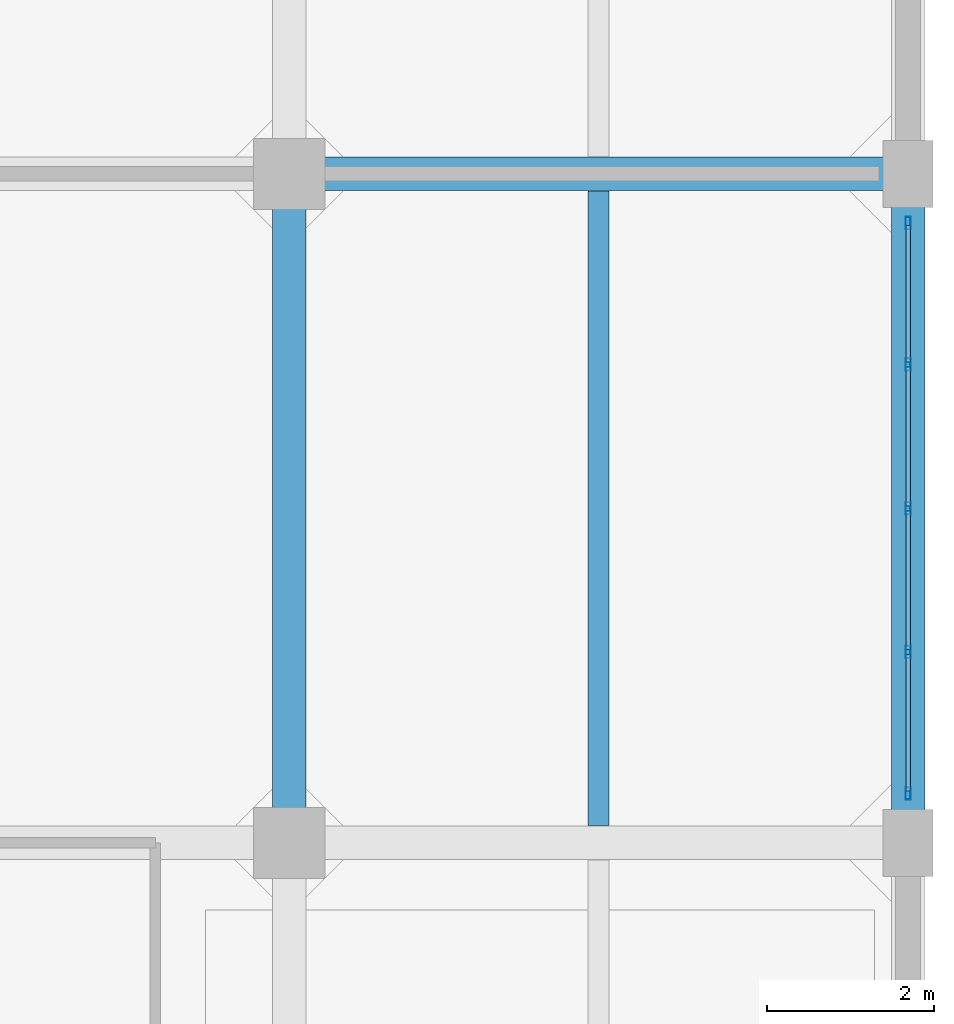
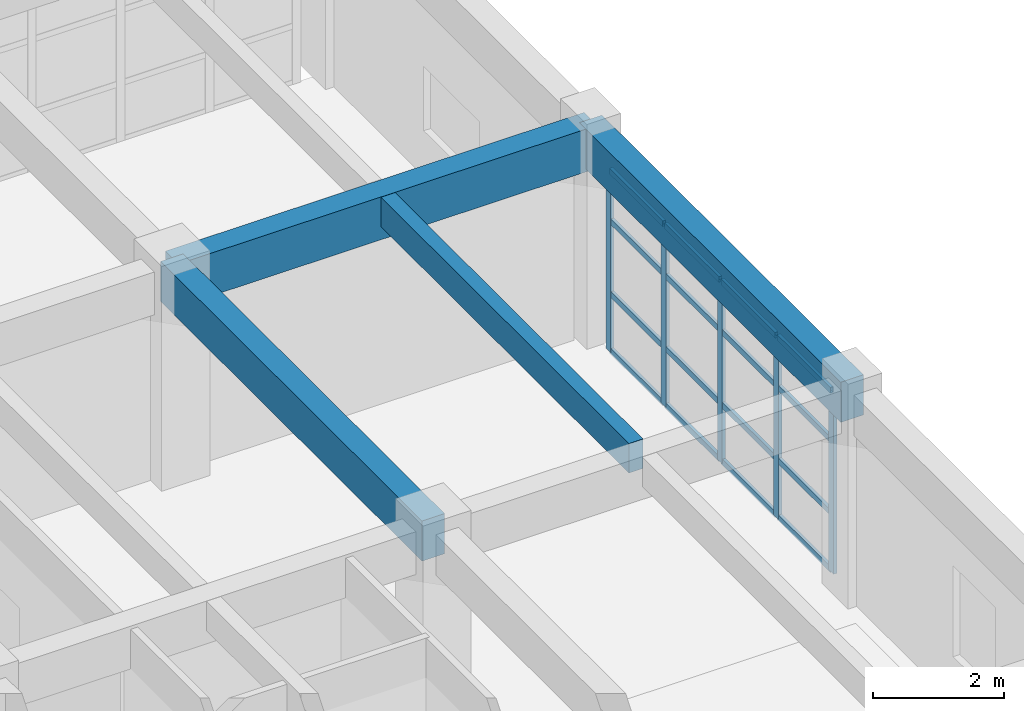
# One storey, part 17 of 27: 21 members, 4 beams, 1 element without a shape of its own.
"""IFC4 building model written with IfcOpenShell, lengths in metres."""

from ifc_helpers import new_model, si_unit, direction, frame, origin, origin_2d, place, context, subcontext, project, spatial, rectangle, hollow_rectangle, extrude, material, layer, layer_set, material_profile, profile_set, type_object, element, aggregate, save


model = new_model("IFC4")

# Units and contexts
model_context = context("Model", 3, precision=1e-05, world=origin(), true_north=direction((0.0, 1.0)))
body_context = subcontext(model_context, "Body", "Model", "MODEL_VIEW")
ifc_project = project(units=[si_unit("LENGTHUNIT", "METRE"), si_unit("AREAUNIT", "SQUARE_METRE"), si_unit("VOLUMEUNIT", "CUBIC_METRE"), si_unit("PLANEANGLEUNIT", "RADIAN"), si_unit("MASSUNIT", "GRAM", prefix="KILO")], contexts=[model_context])

# Site, building, storey
site_placement = place(None, origin())
site = spatial("IfcSite", under=ifc_project, at=site_placement, CompositionType="ELEMENT")
building_placement = place(site_placement, origin())
building = spatial("IfcBuilding", under=site, at=building_placement, Name="Canggui Botanical Conservatory", CompositionType="ELEMENT")
storey_placement = place(building_placement, frame((0.0, 0.0, 23.39990234375)))
storey = spatial("IfcBuildingStorey", under=building, at=storey_placement, Name="L06", CompositionType="ELEMENT", Elevation=23.39990234375)

# Beams
ifc_material_1 = material(Name="Concrete C35", Category="concrete")
ifc_material_profile_1 = material_profile(ifc_material_1, rectangle(XDim=0.25, YDim=0.550048828125, at=origin_2d()), Name="RB 250x550")
ifc_profile_set_1 = profile_set([ifc_material_profile_1], Name="Concrete C35")
beam_type_1 = type_object("IfcBeamType", Name="BM-JST03", PredefinedType="JOIST", material=ifc_profile_set_1)
beam_1_placement = place(storey_placement, frame((173.699951171875, 58.205078125, 3.68505859375), z_axis=(0.0, 1.0, 0.0), x_axis=(-1.0, 0.0, 0.0)))
element("IfcBeam", 1, at=beam_1_placement, inside=storey, type_object=beam_type_1, Name="Secondary Floor Joist L06-5-4", PredefinedType="JOIST", context=body_context, shape_type="SweptSolid", body=[
    extrude(rectangle(XDim=0.25, YDim=0.550048828125, at=origin_2d()), origin(), (0.0, 0.0, 1.0), 7.58984375),
])
ifc_material_profile_2 = material_profile(ifc_material_1, rectangle(XDim=0.39990234375, YDim=0.800048828125, at=origin_2d()), Name="RB 400x800")
ifc_profile_set_2 = profile_set([ifc_material_profile_2], Name="Concrete C35")
beam_type_2 = type_object("IfcBeamType", Name="BM-KL09", PredefinedType="BEAM", material=ifc_profile_set_2)
beam_2_placement = place(storey_placement, frame((170.0, 66.0, 3.56005859375), z_axis=(1.0, 0.0, 0.0), x_axis=(0.0, 1.0, 0.0)))
element("IfcBeam", 2, at=beam_2_placement, inside=storey, type_object=beam_type_2, Name="Frame Girder L06 Y66-5", PredefinedType="BEAM", context=body_context, shape_type="SweptSolid", body=[
    extrude(rectangle(XDim=0.39990234375, YDim=0.800048828125, at=origin_2d()), origin(), (0.0, 0.0, 1.0), 7.39990234375),
])
ifc_material_profile_3 = material_profile(ifc_material_1, rectangle(XDim=0.39990234375, YDim=0.75, at=origin_2d()), Name="RB 400x750")
ifc_profile_set_3 = profile_set([ifc_material_profile_3], Name="Concrete C35")
beam_type_3 = type_object("IfcBeamType", Name="BM-KL10", PredefinedType="BEAM", material=ifc_profile_set_3)
for number, where, z_axis, x_axis, name in (
    (3, (170.0, 58.0, 3.585205078125), (0.0, 1.0, 0.0), (-1.0, 0.0, 0.0), "Frame Girder L06 X170-4"),
    (4, (177.39990234375, 58.0, 3.585205078125), (0.0, 1.0, 0.0), (-1.0, 0.0, 0.0), "Frame Girder L06 X178-4"),
):
    element("IfcBeam", number, at=place(storey_placement, frame(where, z_axis=z_axis, x_axis=x_axis)), inside=storey, type_object=beam_type_3, Name=name, PredefinedType="BEAM", context=body_context, shape_type="SweptSolid", body=[
        extrude(rectangle(XDim=0.39990234375, YDim=0.75, at=origin_2d()), origin(), (0.0, 0.0, 1.0), 8.0),
    ])

# Curtain wall, members
ifc_material_2 = material(Name="Thermally Broken Aluminium", Category="aluminium")
ifc_layer = layer(ifc_material_2, 0.14990234375, Name="Thermally Broken Aluminium", Category="aluminium")
ifc_layer_set = layer_set([ifc_layer], Name="Thermally Broken Aluminium")
curtain_wall_type = type_object("IfcCurtainWallType", Name="CW-UNIT-C", PredefinedType="USERDEFINED", material=ifc_layer_set)
curtain_wall_placement = place(storey_placement, origin())
curtain_wall = element("IfcCurtainWall", 5, at=curtain_wall_placement, inside=storey, type_object=curtain_wall_type, Name="Facade Curtain Wall CW-TWR-L06-18", ObjectType="UNITISED CURTAIN WALL", PredefinedType="USERDEFINED")
ifc_material_profile_4 = material_profile(ifc_material_2, hollow_rectangle(XDim=0.06005859375, YDim=0.14990234375, WallThickness=0.00341796875, at=origin_2d()), Name="CWM 60x150x3.5")
ifc_profile_set_4 = profile_set([ifc_material_profile_4], Name="Thermally Broken Aluminium")
member_type_1 = type_object("IfcMemberType", Name="CWM-03", PredefinedType="MULLION", material=ifc_profile_set_4)
member_1_placement = place(storey_placement, frame((177.39990234375, 65.409912109375, 0.0), z_axis=(0.0, 0.0, 1.0), x_axis=(1.0, 0.0, 0.0)))
member_1 = element("IfcMember", 6, at=member_1_placement, type_object=member_type_1, Name="CW-03 mullion 1", PredefinedType="MULLION", context=body_context, shape_type="SweptSolid", body=[
    extrude(hollow_rectangle(XDim=0.06005859375, YDim=0.14990234375, WallThickness=0.00341796875, at=origin_2d()), origin(), (0.0, 0.0, 1.0), 3.400146484375),
])
member_2_placement = place(storey_placement, frame((177.39990234375, 63.719970703125, 0.0), z_axis=(0.0, 0.0, 1.0), x_axis=(1.0, 0.0, 0.0)))
member_2 = element("IfcMember", 7, at=member_2_placement, type_object=member_type_1, Name="CW-03 mullion 2", PredefinedType="MULLION", context=body_context, shape_type="SweptSolid", body=[
    extrude(hollow_rectangle(XDim=0.06005859375, YDim=0.14990234375, WallThickness=0.00341796875, at=origin_2d()), origin(), (0.0, 0.0, 1.0), 3.400146484375),
])
member_3_placement = place(storey_placement, frame((177.39990234375, 62.0, 0.0), z_axis=(0.0, 0.0, 1.0), x_axis=(1.0, 0.0, 0.0)))
member_3 = element("IfcMember", 8, at=member_3_placement, type_object=member_type_1, Name="CW-03 mullion 3", PredefinedType="MULLION", context=body_context, shape_type="SweptSolid", body=[
    extrude(hollow_rectangle(XDim=0.06005859375, YDim=0.14990234375, WallThickness=0.00341796875, at=origin_2d()), origin(), (0.0, 0.0, 1.0), 3.400146484375),
])
member_4_placement = place(storey_placement, frame((177.39990234375, 60.280029296875, 0.0), z_axis=(0.0, 0.0, 1.0), x_axis=(1.0, 0.0, 0.0)))
member_4 = element("IfcMember", 9, at=member_4_placement, type_object=member_type_1, Name="CW-03 mullion 4", PredefinedType="MULLION", context=body_context, shape_type="SweptSolid", body=[
    extrude(hollow_rectangle(XDim=0.06005859375, YDim=0.14990234375, WallThickness=0.00341796875, at=origin_2d()), origin(), (0.0, 0.0, 1.0), 3.400146484375),
])
member_5_placement = place(storey_placement, frame((177.39990234375, 58.590087890625, 0.0), z_axis=(0.0, 0.0, 1.0), x_axis=(1.0, 0.0, 0.0)))
member_5 = element("IfcMember", 10, at=member_5_placement, type_object=member_type_1, Name="CW-03 mullion 5", PredefinedType="MULLION", context=body_context, shape_type="SweptSolid", body=[
    extrude(hollow_rectangle(XDim=0.06005859375, YDim=0.14990234375, WallThickness=0.00341796875, at=origin_2d()), origin(), (0.0, 0.0, 1.0), 3.400146484375),
])
ifc_material_profile_5 = material_profile(ifc_material_2, hollow_rectangle(XDim=0.054931640625, YDim=0.110107421875, WallThickness=0.0029296875, at=origin_2d()), Name="CWT 55x110x3")
ifc_profile_set_5 = profile_set([ifc_material_profile_5], Name="Thermally Broken Aluminium")
member_type_2 = type_object("IfcMemberType", Name="CWT-03", PredefinedType="USERDEFINED", material=ifc_profile_set_5)
member_6_placement = place(storey_placement, frame((177.39990234375, 65.3798828125, 0.027587890625), z_axis=(0.0, -1.0, 0.0), x_axis=(1.0, 0.0, 0.0)))
member_6 = element("IfcMember", 11, at=member_6_placement, type_object=member_type_2, Name="CW-03 transom 1.1", ObjectType="TRANSOM", PredefinedType="USERDEFINED", context=body_context, shape_type="SweptSolid", body=[
    extrude(hollow_rectangle(XDim=0.054931640625, YDim=0.110107421875, WallThickness=0.0029296875, at=origin_2d()), origin(), (0.0, 0.0, 1.0), 1.6298828125),
])
member_7_placement = place(storey_placement, frame((177.39990234375, 65.3798828125, 1.088134765625), z_axis=(0.0, -1.0, 0.0), x_axis=(1.0, 0.0, 0.0)))
member_7 = element("IfcMember", 12, at=member_7_placement, type_object=member_type_2, Name="CW-03 transom 1.2", ObjectType="TRANSOM", PredefinedType="USERDEFINED", context=body_context, shape_type="SweptSolid", body=[
    extrude(hollow_rectangle(XDim=0.054931640625, YDim=0.110107421875, WallThickness=0.0029296875, at=origin_2d()), origin(), (0.0, 0.0, 1.0), 1.6298828125),
])
member_8_placement = place(storey_placement, frame((177.39990234375, 65.3798828125, 2.447998046875), z_axis=(0.0, -1.0, 0.0), x_axis=(1.0, 0.0, 0.0)))
member_8 = element("IfcMember", 13, at=member_8_placement, type_object=member_type_2, Name="CW-03 transom 1.3", ObjectType="TRANSOM", PredefinedType="USERDEFINED", context=body_context, shape_type="SweptSolid", body=[
    extrude(hollow_rectangle(XDim=0.054931640625, YDim=0.110107421875, WallThickness=0.0029296875, at=origin_2d()), origin(), (0.0, 0.0, 1.0), 1.6298828125),
])
member_9_placement = place(storey_placement, frame((177.39990234375, 65.3798828125, 3.37255859375), z_axis=(0.0, -1.0, 0.0), x_axis=(1.0, 0.0, 0.0)))
member_9 = element("IfcMember", 14, at=member_9_placement, type_object=member_type_2, Name="CW-03 transom 1.4", ObjectType="TRANSOM", PredefinedType="USERDEFINED", context=body_context, shape_type="SweptSolid", body=[
    extrude(hollow_rectangle(XDim=0.054931640625, YDim=0.110107421875, WallThickness=0.0029296875, at=origin_2d()), origin(), (0.0, 0.0, 1.0), 1.6298828125),
])
member_10_placement = place(storey_placement, frame((177.39990234375, 63.68994140625, 0.027587890625), z_axis=(0.0, -1.0, 0.0), x_axis=(1.0, 0.0, 0.0)))
member_10 = element("IfcMember", 15, at=member_10_placement, type_object=member_type_2, Name="CW-03 transom 2.1", ObjectType="TRANSOM", PredefinedType="USERDEFINED", context=body_context, shape_type="SweptSolid", body=[
    extrude(hollow_rectangle(XDim=0.054931640625, YDim=0.110107421875, WallThickness=0.0029296875, at=origin_2d()), origin(), (0.0, 0.0, 1.0), 1.659912109375),
])
member_11_placement = place(storey_placement, frame((177.39990234375, 63.68994140625, 1.088134765625), z_axis=(0.0, -1.0, 0.0), x_axis=(1.0, 0.0, 0.0)))
member_11 = element("IfcMember", 16, at=member_11_placement, type_object=member_type_2, Name="CW-03 transom 2.2", ObjectType="TRANSOM", PredefinedType="USERDEFINED", context=body_context, shape_type="SweptSolid", body=[
    extrude(hollow_rectangle(XDim=0.054931640625, YDim=0.110107421875, WallThickness=0.0029296875, at=origin_2d()), origin(), (0.0, 0.0, 1.0), 1.659912109375),
])
member_12_placement = place(storey_placement, frame((177.39990234375, 63.68994140625, 2.447998046875), z_axis=(0.0, -1.0, 0.0), x_axis=(1.0, 0.0, 0.0)))
member_12 = element("IfcMember", 17, at=member_12_placement, type_object=member_type_2, Name="CW-03 transom 2.3", ObjectType="TRANSOM", PredefinedType="USERDEFINED", context=body_context, shape_type="SweptSolid", body=[
    extrude(hollow_rectangle(XDim=0.054931640625, YDim=0.110107421875, WallThickness=0.0029296875, at=origin_2d()), origin(), (0.0, 0.0, 1.0), 1.659912109375),
])
member_13_placement = place(storey_placement, frame((177.39990234375, 63.68994140625, 3.37255859375), z_axis=(0.0, -1.0, 0.0), x_axis=(1.0, 0.0, 0.0)))
member_13 = element("IfcMember", 18, at=member_13_placement, type_object=member_type_2, Name="CW-03 transom 2.4", ObjectType="TRANSOM", PredefinedType="USERDEFINED", context=body_context, shape_type="SweptSolid", body=[
    extrude(hollow_rectangle(XDim=0.054931640625, YDim=0.110107421875, WallThickness=0.0029296875, at=origin_2d()), origin(), (0.0, 0.0, 1.0), 1.659912109375),
])
member_14_placement = place(storey_placement, frame((177.39990234375, 61.969970703125, 0.027587890625), z_axis=(0.0, -1.0, 0.0), x_axis=(1.0, 0.0, 0.0)))
member_14 = element("IfcMember", 19, at=member_14_placement, type_object=member_type_2, Name="CW-03 transom 3.1", ObjectType="TRANSOM", PredefinedType="USERDEFINED", context=body_context, shape_type="SweptSolid", body=[
    extrude(hollow_rectangle(XDim=0.054931640625, YDim=0.110107421875, WallThickness=0.0029296875, at=origin_2d()), origin(), (0.0, 0.0, 1.0), 1.659912109375),
])
member_15_placement = place(storey_placement, frame((177.39990234375, 61.969970703125, 1.088134765625), z_axis=(0.0, -1.0, 0.0), x_axis=(1.0, 0.0, 0.0)))
member_15 = element("IfcMember", 20, at=member_15_placement, type_object=member_type_2, Name="CW-03 transom 3.2", ObjectType="TRANSOM", PredefinedType="USERDEFINED", context=body_context, shape_type="SweptSolid", body=[
    extrude(hollow_rectangle(XDim=0.054931640625, YDim=0.110107421875, WallThickness=0.0029296875, at=origin_2d()), origin(), (0.0, 0.0, 1.0), 1.659912109375),
])
member_16_placement = place(storey_placement, frame((177.39990234375, 61.969970703125, 2.447998046875), z_axis=(0.0, -1.0, 0.0), x_axis=(1.0, 0.0, 0.0)))
member_16 = element("IfcMember", 21, at=member_16_placement, type_object=member_type_2, Name="CW-03 transom 3.3", ObjectType="TRANSOM", PredefinedType="USERDEFINED", context=body_context, shape_type="SweptSolid", body=[
    extrude(hollow_rectangle(XDim=0.054931640625, YDim=0.110107421875, WallThickness=0.0029296875, at=origin_2d()), origin(), (0.0, 0.0, 1.0), 1.659912109375),
])
member_17_placement = place(storey_placement, frame((177.39990234375, 61.969970703125, 3.37255859375), z_axis=(0.0, -1.0, 0.0), x_axis=(1.0, 0.0, 0.0)))
member_17 = element("IfcMember", 22, at=member_17_placement, type_object=member_type_2, Name="CW-03 transom 3.4", ObjectType="TRANSOM", PredefinedType="USERDEFINED", context=body_context, shape_type="SweptSolid", body=[
    extrude(hollow_rectangle(XDim=0.054931640625, YDim=0.110107421875, WallThickness=0.0029296875, at=origin_2d()), origin(), (0.0, 0.0, 1.0), 1.659912109375),
])
member_18_placement = place(storey_placement, frame((177.39990234375, 60.25, 0.027587890625), z_axis=(0.0, -1.0, 0.0), x_axis=(1.0, 0.0, 0.0)))
member_18 = element("IfcMember", 23, at=member_18_placement, type_object=member_type_2, Name="CW-03 transom 4.1", ObjectType="TRANSOM", PredefinedType="USERDEFINED", context=body_context, shape_type="SweptSolid", body=[
    extrude(hollow_rectangle(XDim=0.054931640625, YDim=0.110107421875, WallThickness=0.0029296875, at=origin_2d()), origin(), (0.0, 0.0, 1.0), 1.6298828125),
])
member_19_placement = place(storey_placement, frame((177.39990234375, 60.25, 1.088134765625), z_axis=(0.0, -1.0, 0.0), x_axis=(1.0, 0.0, 0.0)))
member_19 = element("IfcMember", 24, at=member_19_placement, type_object=member_type_2, Name="CW-03 transom 4.2", ObjectType="TRANSOM", PredefinedType="USERDEFINED", context=body_context, shape_type="SweptSolid", body=[
    extrude(hollow_rectangle(XDim=0.054931640625, YDim=0.110107421875, WallThickness=0.0029296875, at=origin_2d()), origin(), (0.0, 0.0, 1.0), 1.6298828125),
])
member_20_placement = place(storey_placement, frame((177.39990234375, 60.25, 2.447998046875), z_axis=(0.0, -1.0, 0.0), x_axis=(1.0, 0.0, 0.0)))
member_20 = element("IfcMember", 25, at=member_20_placement, type_object=member_type_2, Name="CW-03 transom 4.3", ObjectType="TRANSOM", PredefinedType="USERDEFINED", context=body_context, shape_type="SweptSolid", body=[
    extrude(hollow_rectangle(XDim=0.054931640625, YDim=0.110107421875, WallThickness=0.0029296875, at=origin_2d()), origin(), (0.0, 0.0, 1.0), 1.6298828125),
])
member_21_placement = place(storey_placement, frame((177.39990234375, 60.25, 3.37255859375), z_axis=(0.0, -1.0, 0.0), x_axis=(1.0, 0.0, 0.0)))
member_21 = element("IfcMember", 26, at=member_21_placement, type_object=member_type_2, Name="CW-03 transom 4.4", ObjectType="TRANSOM", PredefinedType="USERDEFINED", context=body_context, shape_type="SweptSolid", body=[
    extrude(hollow_rectangle(XDim=0.054931640625, YDim=0.110107421875, WallThickness=0.0029296875, at=origin_2d()), origin(), (0.0, 0.0, 1.0), 1.6298828125),
])
aggregate(curtain_wall, [member_1, member_2, member_3, member_4, member_5, member_6, member_7, member_8, member_9, member_10, member_11, member_12, member_13, member_14, member_15, member_16, member_17, member_18, member_19, member_20, member_21])

save(model, "model.ifc")
